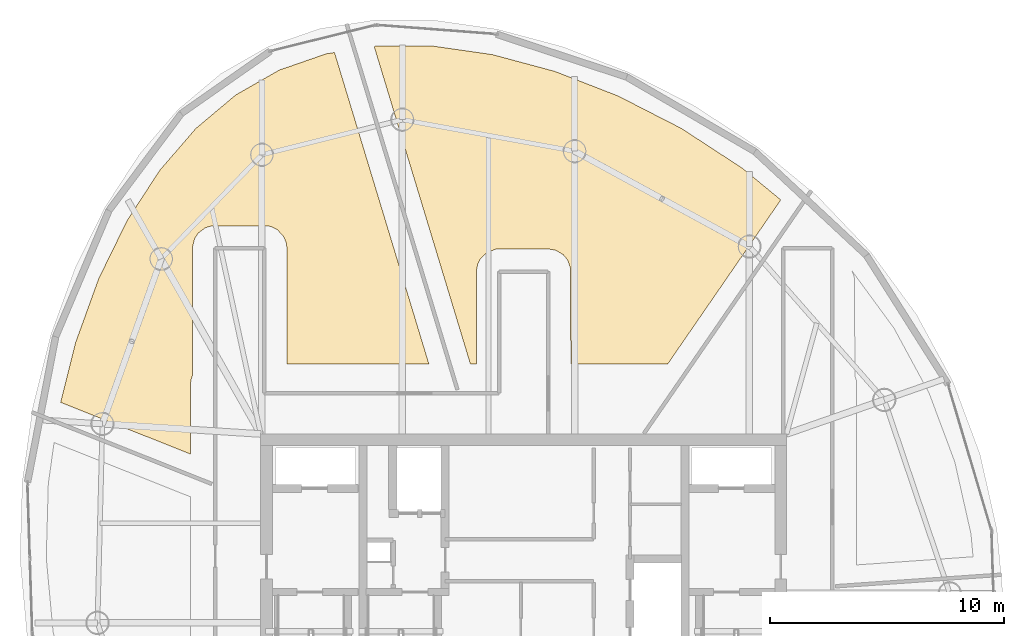
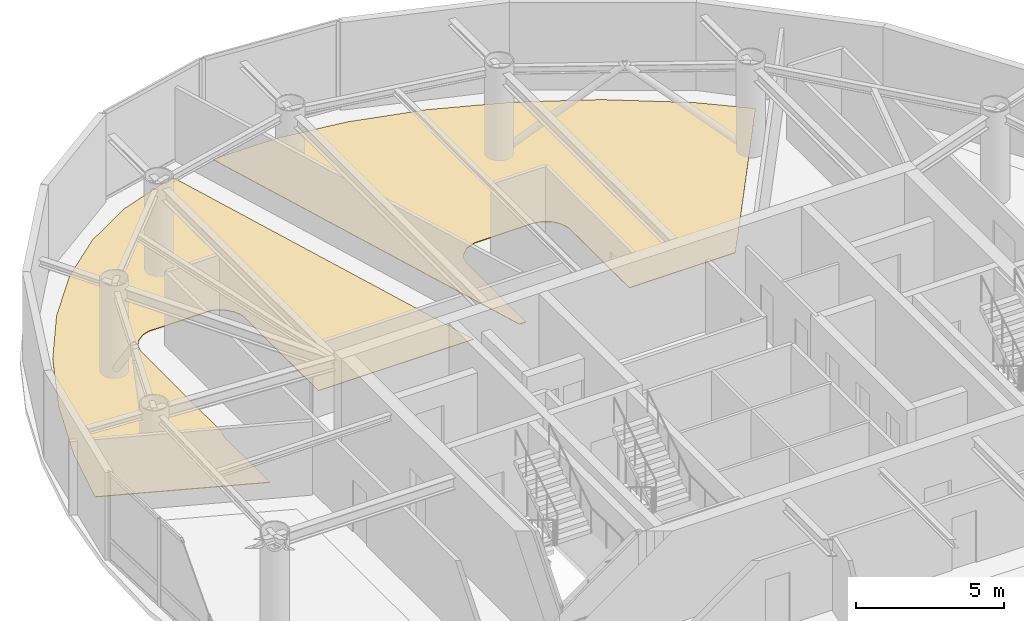
# One storey, part 23 of 23: 2 coverings.
"""IFC4 building model written with IfcOpenShell, lengths in metres."""

import ifcopenshell
import ifcopenshell.guid

model = None  # the IFC model being written
_history = None  # IfcOwnerHistory: only IFC2X3 demands one
_inside = {}  # id of a spatial element -> (the spatial element, [elements in it])
_under = {}  # id of a project, library or spatial element -> (it, [spatial elements below it])
_declared = {}  # id of a project -> (the project, [libraries it declares])
_typed = {}  # id of a type object -> (the type object, [elements of that type])
_made_of = {}  # id of a material, layer set ... -> (it, [elements and type objects made of it])


def new_model(schema):
    """Start an empty IFC model of exactly this schema.

    Asked for "IFC4X3", IfcOpenShell would pick the latest addendum, in which some entities
    have other attributes; the version numbers below select the first issue.
    IFC2X3 requires an IfcOwnerHistory on every rooted entity: one is made here for all.
    """
    global model, _history
    if schema == "IFC4X3":
        model = ifcopenshell.file(schema_version=(4, 3, 0, 0))
    else:
        model = ifcopenshell.file(schema=schema)
    _inside.clear()
    _under.clear()
    _declared.clear()
    _typed.clear()
    _made_of.clear()
    _history = None
    if model.schema == "IFC2X3":
        org = make("IfcOrganization", Name="unknown")
        user = make(
            "IfcPersonAndOrganization",
            ThePerson=make("IfcPerson", FamilyName="unknown"),
            TheOrganization=org,
        )
        app = make(
            "IfcApplication",
            ApplicationDeveloper=org,
            Version="unknown",
            ApplicationFullName="unknown",
            ApplicationIdentifier="unknown",
        )
        _history = make(
            "IfcOwnerHistory",
            OwningUser=user,
            OwningApplication=app,
            ChangeAction="ADDED",
            CreationDate=0,
        )
    return model


def make(cls, **values):
    """One entity of the class cls with the attributes given. An attribute that is None is left unset."""
    return model.create_entity(
        cls, **{name: value for name, value in values.items() if value is not None}
    )


def rooted(cls, **values):
    """An entity with a GlobalId (a new one), such as an element, a storey or a relation."""
    return make(cls, GlobalId=ifcopenshell.guid.new(), OwnerHistory=_history, **values)


def si_unit(unit_type, name, prefix=None):
    """IfcSIUnit, for example si_unit("LENGTHUNIT", "METRE", prefix="MILLI")."""
    return make("IfcSIUnit", UnitType=unit_type, Prefix=prefix, Name=name)


def assignment(units):
    """IfcUnitAssignment: the units of a project."""
    return None if units is None else make("IfcUnitAssignment", Units=units)


def point(xyz):
    """IfcCartesianPoint."""
    return None if xyz is None else make("IfcCartesianPoint", Coordinates=xyz)


def direction(xyz):
    """IfcDirection."""
    return None if xyz is None else make("IfcDirection", DirectionRatios=xyz)


def frame(location, z_axis=None, x_axis=None):
    """IfcAxis2Placement3D, a coordinate frame: its origin and axes. An axis left out is left unset."""
    return make(
        "IfcAxis2Placement3D",
        Location=point(location),
        Axis=direction(z_axis),
        RefDirection=direction(x_axis),
    )


def origin():
    """The frame at (0, 0, 0) with its axes left unset."""
    return frame((0.0, 0.0, 0.0))


def place(relative_to, where):
    """IfcLocalPlacement: puts the frame where relative to a parent placement (None: the world)."""
    return make(
        "IfcLocalPlacement", PlacementRelTo=relative_to, RelativePlacement=where
    )


def context(
    kind, dimensions, precision=None, world=None, true_north=None, identifier=None
):
    """IfcGeometricRepresentationContext, for example the 3D "Model" context."""
    return make(
        "IfcGeometricRepresentationContext",
        ContextIdentifier=identifier,
        ContextType=kind,
        CoordinateSpaceDimension=dimensions,
        Precision=precision,
        WorldCoordinateSystem=world,
        TrueNorth=true_north,
    )


def subcontext(parent, identifier, kind, view, scale=None):
    """IfcGeometricRepresentationSubContext, for example "Body" below "Model"."""
    return make(
        "IfcGeometricRepresentationSubContext",
        ContextIdentifier=identifier,
        ContextType=kind,
        ParentContext=parent,
        TargetScale=scale,
        TargetView=view,
    )


def project(units=None, contexts=None):
    """IfcProject with its units and contexts."""
    return rooted(
        "IfcProject",
        Name="project",
        RepresentationContexts=contexts,
        UnitsInContext=assignment(units),
    )


def spatial(cls, under=None, at=None, **own):
    """A site, building, storey or space (cls), placed at a placement, below another one or the project."""
    s = rooted(cls, ObjectPlacement=at, **own)
    if under is not None:
        _under.setdefault(under.id(), (under, []))[1].append(s)
    return s


def polyline(points):
    """IfcPolyline through the points."""
    return make("IfcPolyline", Points=[point(p) for p in points])


def outline(outer, holes=None, kind="AREA"):
    """IfcArbitraryClosedProfileDef: a profile drawn as a closed curve; with holes, ...WithVoids."""
    if holes is None:
        return make("IfcArbitraryClosedProfileDef", ProfileType=kind, OuterCurve=outer)
    return make(
        "IfcArbitraryProfileDefWithVoids",
        ProfileType=kind,
        OuterCurve=outer,
        InnerCurves=holes,
    )


def extrude(swept, where, along, depth):
    """IfcExtrudedAreaSolid: the profile swept, set in the frame where, extruded along a direction by depth."""
    return make(
        "IfcExtrudedAreaSolid",
        SweptArea=swept,
        Position=where,
        ExtrudedDirection=direction(along),
        Depth=depth,
    )


def shape(context_of_items, identifier, shape_type, items):
    """IfcShapeRepresentation: the items that make up one representation, for example the "Body"."""
    return make(
        "IfcShapeRepresentation",
        ContextOfItems=context_of_items,
        RepresentationIdentifier=identifier,
        RepresentationType=shape_type,
        Items=items,
    )


def material(Name=None, Category=None):
    """IfcMaterial."""
    return make("IfcMaterial", Name=Name, Category=Category)


def layer(
    of_material, thickness, ventilated=None, Name=None, Category=None, Priority=None
):
    """IfcMaterialLayer: one layer of a wall or slab, of a material (None: an air gap)."""
    return make(
        "IfcMaterialLayer",
        Material=of_material,
        LayerThickness=thickness,
        IsVentilated=ventilated,
        Name=Name,
        Category=Category,
        Priority=Priority,
    )


def layer_set(layers, Name=None):
    """IfcMaterialLayerSet."""
    return make("IfcMaterialLayerSet", MaterialLayers=layers, LayerSetName=Name)


def made_of(thing, what):
    """Note that an element or type object is made of a material, layer set ...; save() writes the relation."""
    if what is not None:
        _made_of.setdefault(what.id(), (what, []))[1].append(thing)
    return thing


def type_object(cls, material=None, **own):
    """A type object (cls), such as IfcWallType, which elements share."""
    return made_of(rooted(cls, **own), material)


def element(
    cls,
    number,
    at=None,
    inside=None,
    cuts=None,
    type_object=None,
    material=None,
    context=None,
    identifier="Body",
    shape_type=None,
    held_by="IfcProductDefinitionShape",
    body=None,
    shapes=None,
    **own,
):
    """One element of the class cls, such as IfcWall. Its Tag is "e" and its number.

    at: its placement. inside: the storey or other place that contains it. cuts: it is an
    opening in that element (IfcRelVoidsElement). A single representation is given by context,
    identifier, shape_type and body (its items); several are given by shapes. held_by: the class
    of the entity that holds the representations. save() writes the other relations.
    """
    e = rooted(cls, Tag="e%d" % number, ObjectPlacement=at, **own)
    if body is not None:
        shapes = [shape(context, identifier, shape_type, body)]
    if shapes is not None:
        e.Representation = make(held_by, Representations=shapes)
    if inside is not None:
        _inside.setdefault(inside.id(), (inside, []))[1].append(e)
    if cuts is not None:
        rooted(
            "IfcRelVoidsElement", RelatingBuildingElement=cuts, RelatedOpeningElement=e
        )
    if type_object is not None:
        _typed.setdefault(type_object.id(), (type_object, []))[1].append(e)
    return made_of(e, material)


def aggregate(whole, parts):
    """IfcRelAggregates: a whole, such as a stair, and the parts it consists of."""
    return rooted("IfcRelAggregates", RelatingObject=whole, RelatedObjects=parts)


def save(model, path):
    """Write the relations noted so far, then the file.

    IfcRelAggregates (storeys below a building ...), IfcRelContainedInSpatialStructure (elements
    in a storey), IfcRelDefinesByType, IfcRelAssociatesMaterial and IfcRelDeclares: one each for
    every whole, place, type object, material and project.
    """
    for whole, parts in _under.values():
        aggregate(whole, parts)
    for where, things in _inside.values():
        rooted(
            "IfcRelContainedInSpatialStructure",
            RelatedElements=things,
            RelatingStructure=where,
        )
    for kind, things in _typed.values():
        rooted("IfcRelDefinesByType", RelatedObjects=things, RelatingType=kind)
    for what, things in _made_of.values():
        rooted("IfcRelAssociatesMaterial", RelatedObjects=things, RelatingMaterial=what)
    for by, libraries in _declared.values():
        rooted("IfcRelDeclares", RelatingContext=by, RelatedDefinitions=libraries)
    model.write(path)


model = new_model("IFC4")

# Units and contexts
model_context = context("Model", 3, precision=1e-05, world=origin(), true_north=direction((0.0, 1.0)))
body_context = subcontext(model_context, "Body", "Model", "MODEL_VIEW")
ifc_project = project(units=[si_unit("LENGTHUNIT", "METRE"), si_unit("AREAUNIT", "SQUARE_METRE"), si_unit("VOLUMEUNIT", "CUBIC_METRE"), si_unit("PLANEANGLEUNIT", "RADIAN"), si_unit("MASSUNIT", "GRAM", prefix="KILO")], contexts=[model_context])

# Site, building, storey
site_placement = place(None, origin())
site = spatial("IfcSite", under=ifc_project, at=site_placement, CompositionType="ELEMENT")
building_placement = place(site_placement, origin())
building = spatial("IfcBuilding", under=site, at=building_placement, Name="Bramvorn Convention Spire", CompositionType="ELEMENT")
storey_placement = place(building_placement, frame((0.0, 0.0, 295.949951171875)))
storey = spatial("IfcBuildingStorey", under=building, at=storey_placement, Name="L75", CompositionType="ELEMENT", Elevation=295.949951171875)

# Coverings
ifc_material = material(Name="Honed Dolomitic Limestone Terrazzo Flooring", Category="masonry")
ifc_layer = layer(ifc_material, 0.02490234375)
ifc_layer_set = layer_set([ifc_layer], Name="Honed Dolomitic Limestone Terrazzo Flooring - FLR-TERRAZZO-25")
covering_type = type_object("IfcCoveringType", Name="FLR-TERRAZZO-25", PredefinedType="FLOORING", material=ifc_layer_set)
covering_1_placement = place(storey_placement, origin())
element("IfcCovering", 1, at=covering_1_placement, inside=storey, type_object=covering_type, Name="L75 Private Champagne Dining Salon 2 2 raised floor finish", PredefinedType="FLOORING", context=body_context, shape_type="SweptSolid", body=[
    extrude(outline(polyline([(31.74951171875, 50.060302734375), (31.6044921875, 50.03759765625), (35.7216796875, 36.449951171875), (35.97998046875, 36.449951171875), (35.98095703125, 40.441650390625), (36.034912109375, 40.72119140625), (36.16748046875, 40.972900390625), (36.4462890625, 41.228759765625), (36.8134765625, 41.360107421875), (39.050048828125, 41.3701171875), (39.38232421875, 41.311279296875), (39.697021484375, 41.12255859375), (39.885009765625, 40.8935546875), (40.008544921875, 40.548095703125), (40.02001953125, 36.449951171875), (44.1689453125, 36.449951171875), (49.0048828125, 43.467529296875), (47.366455078125, 44.81884765625), (44.753662109375, 46.525390625), (42.047119140625, 47.912841796875), (39.32763671875, 48.96875), (36.668212890625, 49.682861328125), (34.128173828125, 50.048095703125), (31.74951171875, 50.060302734375)])), origin(), (0.0, 0.0, 1.0), 0.025146484375),
])
covering_2_placement = place(storey_placement, origin())
element("IfcCovering", 2, at=covering_2_placement, inside=storey, type_object=covering_type, Name="L75 Sunset Cocktail Dining Lounge 3 3 raised floor finish", PredefinedType="FLOORING", context=body_context, shape_type="SweptSolid", body=[
    extrude(outline(polyline([(23.75, 32.58984375), (23.75, 35.60009765625), (23.766357421875, 35.765869140625), (23.830078125, 35.95751953125), (23.83154296875, 41.45361328125), (23.920654296875, 41.809326171875), (24.085205078125, 42.0556640625), (24.3798828125, 42.274169921875), (24.66357421875, 42.360107421875), (27.048095703125, 42.3583984375), (27.232421875, 42.311279296875), (27.472900390625, 42.1826171875), (27.73486328125, 41.8935546875), (27.83935546875, 41.641357421875), (27.868896484375, 41.441650390625), (27.8701171875, 36.449951171875), (33.9453125, 36.449951171875), (29.908447265625, 49.773193359375), (29.5517578125, 49.7177734375), (27.5341796875, 49.018798828125), (25.680908203125, 47.95751953125), (23.97802734375, 46.52685546875), (22.42333984375, 44.726318359375), (21.02880859375, 42.572021484375), (19.81884765625, 40.098388671875), (18.826904296875, 37.355224609375), (18.1923828125, 34.802978515625), (23.75, 32.58984375)])), origin(), (0.0, 0.0, 1.0), 0.025146484375),
])

save(model, "model.ifc")
